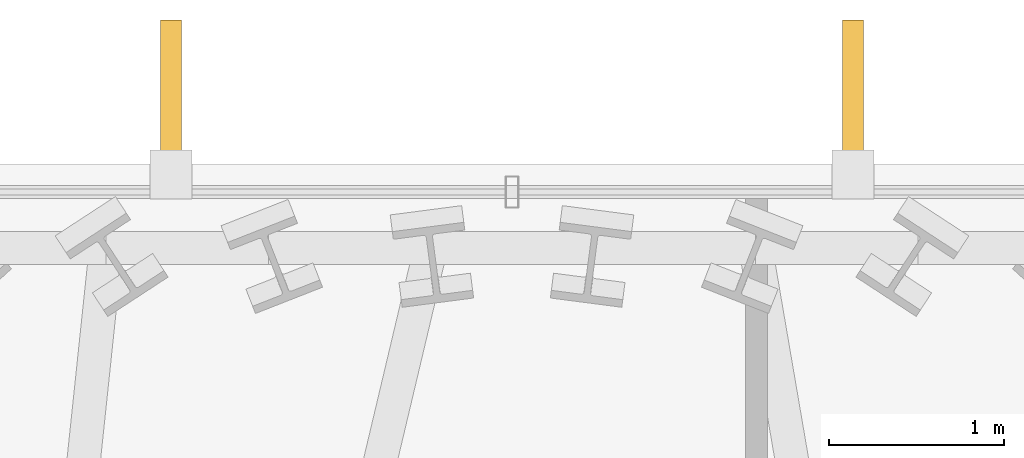
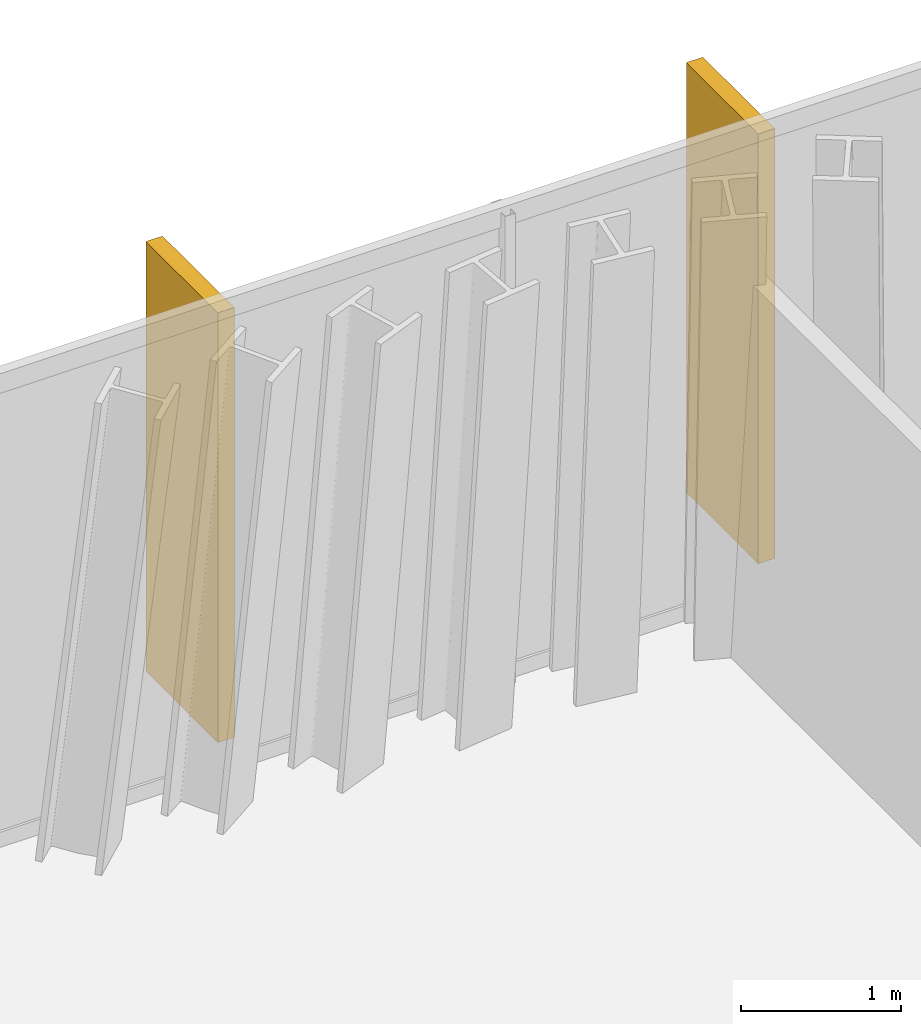
# One storey, part 30 of 30: 2 shading devices.
"""IFC4 building model written with IfcOpenShell, lengths in metres."""

from ifc_helpers import new_model, si_unit, direction, frame, origin, origin_2d, place, context, subcontext, project, spatial, rectangle, extrude, material, type_object, element, save


model = new_model("IFC4")

# Units and contexts
model_context = context("Model", 3, precision=1e-05, world=origin(), true_north=direction((0.0, 1.0)))
body_context = subcontext(model_context, "Body", "Model", "MODEL_VIEW")
ifc_project = project(units=[si_unit("LENGTHUNIT", "METRE"), si_unit("AREAUNIT", "SQUARE_METRE"), si_unit("VOLUMEUNIT", "CUBIC_METRE"), si_unit("PLANEANGLEUNIT", "RADIAN"), si_unit("MASSUNIT", "GRAM", prefix="KILO")], contexts=[model_context])

# Site, building, storey
site_placement = place(None, origin())
site = spatial("IfcSite", under=ifc_project, at=site_placement, CompositionType="ELEMENT")
building_placement = place(site_placement, origin())
building = spatial("IfcBuilding", under=site, at=building_placement, Name="Ndaravel Arena Tower", CompositionType="ELEMENT")
storey_placement = place(building_placement, frame((0.0, 0.0, 225.60009765625)))
storey = spatial("IfcBuildingStorey", under=building, at=storey_placement, Name="L54", CompositionType="ELEMENT", Elevation=225.60009765625)

# Shading devices
ifc_material = material(Name="Masonry", Category="masonry")
shading_device_type = type_object("IfcShadingDeviceType", Name="SHD-MAZERAS-FIN", PredefinedType="SHUTTER", material=ifc_material)
for number, where, z_axis, x_axis, name in (
    (1, (43.950927734375, 46.11181640625, 0.14990234375), (0.0, 0.0, 1.0), (0.0, 1.0, 0.0), "L54 Mazeras Stone Solar Fin E4.1"),
    (2, (40.049072265625, 46.11181640625, 0.14990234375), (0.0, 0.0, 1.0), (0.0, 1.0, 0.0), "L54 Mazeras Stone Solar Fin E4.2"),
):
    element("IfcShadingDevice", number, at=place(storey_placement, frame(where, z_axis=z_axis, x_axis=x_axis)), inside=storey, type_object=shading_device_type, Name=name, PredefinedType="SHUTTER", context=body_context, shape_type="SweptSolid", body=[
        extrude(rectangle(XDim=0.89990234375, YDim=0.1201171875, at=origin_2d()), origin(), (0.0, 0.0, 1.0), 3.280029296875),
    ])

save(model, "model.ifc")
